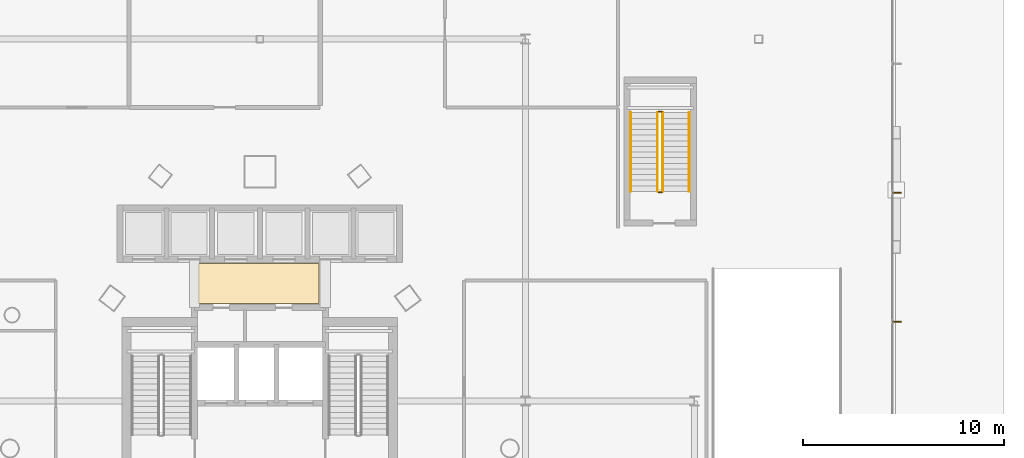
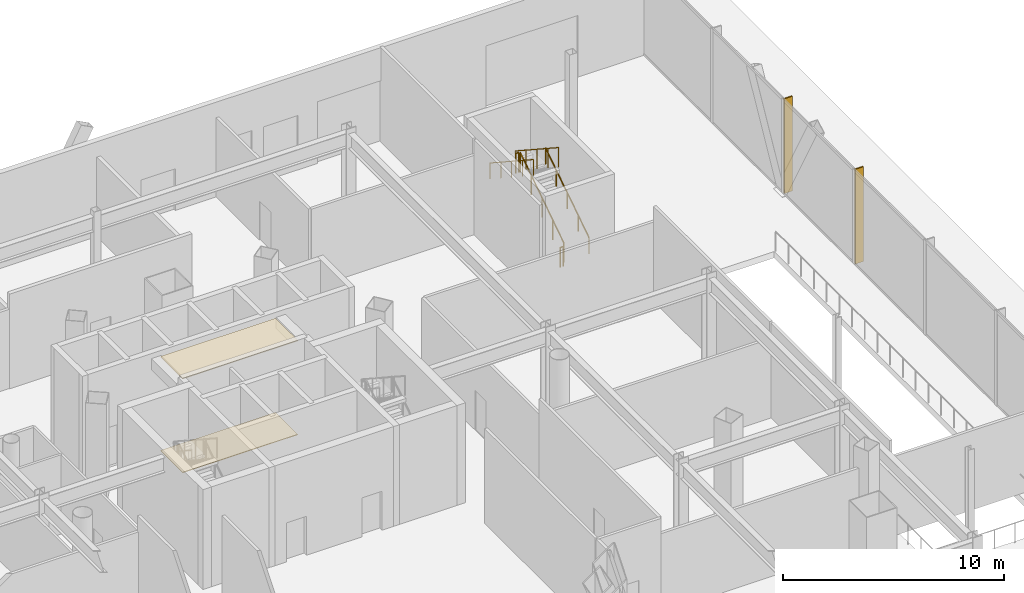
# One storey, part 36 of 38: 6 railings, 2 coverings, 2 shading devices.
"""IFC4 building model written with IfcOpenShell, lengths in metres."""

from ifc_helpers import new_model, si_unit, direction, frame, origin, origin_2d, place, context, subcontext, project, spatial, polyline, rectangle, circle, outline, extrude, material, layer, layer_set, type_object, element, save


model = new_model("IFC4")

# Units and contexts
model_context = context("Model", 3, precision=1e-05, world=origin(), true_north=direction((0.0, 1.0)))
body_context = subcontext(model_context, "Body", "Model", "MODEL_VIEW")
ifc_project = project(units=[si_unit("LENGTHUNIT", "METRE"), si_unit("AREAUNIT", "SQUARE_METRE"), si_unit("VOLUMEUNIT", "CUBIC_METRE"), si_unit("PLANEANGLEUNIT", "RADIAN"), si_unit("MASSUNIT", "GRAM", prefix="KILO")], contexts=[model_context])

# Site, building, storey
site_placement = place(None, origin())
site = spatial("IfcSite", under=ifc_project, at=site_placement, CompositionType="ELEMENT")
building_placement = place(site_placement, origin())
building = spatial("IfcBuilding", under=site, at=building_placement, Name="Orvanel Arch Residences", CompositionType="ELEMENT")
storey_placement = place(building_placement, origin())
storey = spatial("IfcBuildingStorey", under=building, at=storey_placement, Name="L00", CompositionType="ELEMENT", Elevation=0.0)

# Coverings
ifc_material_1 = material(Name="Perforated acoustic mineral-fibre ceiling tile", Category="gypsum")
ifc_layer_1 = layer(ifc_material_1, 0.050048828125)
ifc_layer_set_1 = layer_set([ifc_layer_1], Name="Perforated acoustic mineral-fibre ceiling tile")
covering_type_1 = type_object("IfcCoveringType", Name="COV-CLG-ACS50", PredefinedType="CEILING", material=ifc_layer_set_1)
covering_1_placement = place(storey_placement, frame((0.0, 0.0, 5.169921875)))
element("IfcCovering", 1, at=covering_1_placement, inside=storey, type_object=covering_type_1, Name="L00 Lift Lobby Acoustic Ceiling", PredefinedType="CEILING", context=body_context, shape_type="SweptSolid", body=[
    extrude(outline(polyline([(29.949951171875, 34.85009765625), (35.949951171875, 34.85009765625), (35.949951171875, 36.85009765625), (29.949951171875, 36.85009765625), (29.949951171875, 34.85009765625)])), origin(), (0.0, 0.0, 1.0), 0.050048828125),
])
ifc_material_2 = material(Name="Honed cementitious terrazzo floor finish", Category="concrete")
ifc_layer_2 = layer(ifc_material_2, 0.034912109375)
ifc_layer_set_2 = layer_set([ifc_layer_2], Name="Honed cementitious terrazzo floor finish")
covering_type_2 = type_object("IfcCoveringType", Name="COV-FLR-TRZ35", PredefinedType="FLOORING", material=ifc_layer_set_2)
covering_2_placement = place(storey_placement, origin())
element("IfcCovering", 2, at=covering_2_placement, inside=storey, type_object=covering_type_2, Name="L00 Lift Lobby Terrazzo Flooring", PredefinedType="FLOORING", context=body_context, shape_type="SweptSolid", body=[
    extrude(outline(polyline([(29.949951171875, 34.85009765625), (35.949951171875, 34.85009765625), (35.949951171875, 36.85009765625), (29.949951171875, 36.85009765625), (29.949951171875, 34.85009765625)])), origin(), (0.0, 0.0, 1.0), 0.034912109375),
])

# Shading devices
ifc_material_3 = material(Name="Bronze-anodised aluminium AA6063-T6", Category="aluminium")
ifc_layer_3 = layer(ifc_material_3, 0.06494140625)
ifc_layer_set_3 = layer_set([ifc_layer_3], Name="Bronze-anodised aluminium AA6063-T6")
shading_device_type = type_object("IfcShadingDeviceType", Name="FIN-BRZ-420", PredefinedType="USERDEFINED", material=ifc_layer_set_3)
for number, where, z_axis, x_axis, name in (
    (3, (64.68994140625, 33.93896484375, 0.0), (0.0, 0.0, 1.0), (1.0, 0.0, 0.0), "L00 Anodised Bronze Mullion FIN 05"),
    (4, (64.68994140625, 40.35205078125, 0.0), (0.0, 0.0, 1.0), (1.0, 0.0, 0.0), "L00 Anodised Bronze Mullion FIN 06"),
):
    element("IfcShadingDevice", number, at=place(storey_placement, frame(where, z_axis=z_axis, x_axis=x_axis)), inside=storey, type_object=shading_device_type, Name=name, ObjectType="FIN", PredefinedType="USERDEFINED", context=body_context, shape_type="SweptSolid", body=[
        extrude(rectangle(XDim=0.419921875, YDim=0.06494140625, at=origin_2d()), origin(), (0.0, 0.0, 1.0), 5.219970703125),
    ])

# Railings
ifc_material_4 = material(Name="Structural steel AS/NZS 1163 C350L0 (Grade 350)", Category="steel")
railing_type_1 = type_object("IfcRailingType", Name="RL-STAIR-GUARD", PredefinedType="GUARDRAIL", material=ifc_material_4)
railing_1_placement = place(storey_placement, frame((53.030029296875, 40.419921875, 0.183349609375)))
element("IfcRailing", 5, at=railing_1_placement, inside=storey, type_object=railing_type_1, Name="L00 ST-4 stair guard 1", PredefinedType="GUARDRAIL", context=body_context, shape_type="SweptSolid", body=[
    extrude(circle(Radius=0.02392578125, at=origin_2d()), frame((0.0, 0.001220703125, 1.076904296875), z_axis=(0.0, 0.836630751959, 0.54776727255), x_axis=(-1.0, 0.0, 0.0)), (0.0, 0.0, 1.0), 4.6826171875),
    extrude(circle(Radius=0.02099609375, at=origin_2d()), origin(), (0.0, 0.0, 1.0), 1.050048828125),
    extrude(circle(Radius=0.02099609375, at=origin_2d()), frame((0.0, 0.97998046875, 0.6416015625)), (0.0, 0.0, 1.0), 1.050048828125),
    extrude(circle(Radius=0.02099609375, at=origin_2d()), frame((0.0, 1.9599609375, 1.283203125)), (0.0, 0.0, 1.0), 1.050048828125),
    extrude(circle(Radius=0.02099609375, at=origin_2d()), frame((0.0, 2.940185546875, 1.925048828125)), (0.0, 0.0, 1.0), 1.050048828125),
    extrude(circle(Radius=0.02099609375, at=origin_2d()), frame((0.0, 3.920166015625, 2.566650390625)), (0.0, 0.0, 1.0), 1.050048828125),
])
railing_2_placement = place(storey_placement, frame((52.97998046875, 44.389892578125, 2.75)))
element("IfcRailing", 6, at=railing_2_placement, inside=storey, type_object=railing_type_1, Name="L00 ST-4 stair guard 2", PredefinedType="GUARDRAIL", context=body_context, shape_type="SweptSolid", body=[
    extrude(circle(Radius=0.02392578125, at=origin_2d()), frame((-0.00146484375, 0.0, 1.076171875), z_axis=(-1.0, 0.0, 0.0), x_axis=(0.0, -1.0, 0.0)), (0.0, 0.0, 1.0), 0.156982421875),
    extrude(circle(Radius=0.02099609375, at=origin_2d()), origin(), (0.0, 0.0, 1.0), 1.050048828125),
    extrude(circle(Radius=0.02099609375, at=origin_2d()), frame((-0.159912109375, 0.0, 0.0)), (0.0, 0.0, 1.0), 1.050048828125),
])
railing_3_placement = place(storey_placement, frame((52.77001953125, 44.340087890625, 2.933349609375)))
element("IfcRailing", 7, at=railing_3_placement, inside=storey, type_object=railing_type_1, Name="L00 ST-4 stair guard 3", PredefinedType="GUARDRAIL", context=body_context, shape_type="SweptSolid", body=[
    extrude(circle(Radius=0.02392578125, at=origin_2d()), frame((0.0, -0.001220703125, 1.076904296875), z_axis=(0.0, -0.836630751959, 0.54776727255), x_axis=(1.0, 0.0, 0.0)), (0.0, 0.0, 1.0), 4.6826171875),
    extrude(circle(Radius=0.02099609375, at=origin_2d()), origin(), (0.0, 0.0, 1.0), 1.050048828125),
    extrude(circle(Radius=0.02099609375, at=origin_2d()), frame((0.0, -0.97998046875, 0.6416015625)), (0.0, 0.0, 1.0), 1.050048828125),
    extrude(circle(Radius=0.02099609375, at=origin_2d()), frame((0.0, -1.9599609375, 1.283203125)), (0.0, 0.0, 1.0), 1.050048828125),
    extrude(circle(Radius=0.02099609375, at=origin_2d()), frame((0.0, -2.940185546875, 1.925048828125)), (0.0, 0.0, 1.0), 1.050048828125),
    extrude(circle(Radius=0.02099609375, at=origin_2d()), frame((0.0, -3.920166015625, 2.566650390625)), (0.0, 0.0, 1.0), 1.050048828125),
])
railing_4_placement = place(storey_placement, frame((52.97998046875, 40.3701171875, 0.0)))
element("IfcRailing", 8, at=railing_4_placement, inside=storey, type_object=railing_type_1, Name="L00 ST-4 stair guard 4", PredefinedType="GUARDRAIL", context=body_context, shape_type="SweptSolid", body=[
    extrude(circle(Radius=0.02392578125, at=origin_2d()), frame((-0.00146484375, 0.0, 1.076171875), z_axis=(-1.0, 0.0, 0.0), x_axis=(0.0, -1.0, 0.0)), (0.0, 0.0, 1.0), 0.156982421875),
    extrude(circle(Radius=0.02099609375, at=origin_2d()), origin(), (0.0, 0.0, 1.0), 1.050048828125),
    extrude(circle(Radius=0.02099609375, at=origin_2d()), frame((-0.159912109375, 0.0, 0.0)), (0.0, 0.0, 1.0), 1.050048828125),
])
railing_type_2 = type_object("IfcRailingType", Name="RL-STAIR-HAND", PredefinedType="HANDRAIL", material=ifc_material_4)
railing_5_placement = place(storey_placement, frame((54.35009765625, 40.419921875, 0.183349609375)))
element("IfcRailing", 9, at=railing_5_placement, inside=storey, type_object=railing_type_2, Name="L00 ST-4 stair handrail 1", PredefinedType="HANDRAIL", context=body_context, shape_type="SweptSolid", body=[
    extrude(circle(Radius=0.02392578125, at=origin_2d()), frame((0.0, 0.001220703125, 0.876708984375), z_axis=(0.0, 0.836630751959, 0.54776727255), x_axis=(-1.0, 0.0, 0.0)), (0.0, 0.0, 1.0), 4.6826171875),
    extrude(circle(Radius=0.02099609375, at=origin_2d()), origin(), (0.0, 0.0, 1.0), 0.849853515625),
    extrude(circle(Radius=0.02099609375, at=origin_2d()), frame((0.0, 0.97998046875, 0.6416015625)), (0.0, 0.0, 1.0), 0.849853515625),
    extrude(circle(Radius=0.02099609375, at=origin_2d()), frame((0.0, 1.9599609375, 1.283203125)), (0.0, 0.0, 1.0), 0.849853515625),
    extrude(circle(Radius=0.02099609375, at=origin_2d()), frame((0.0, 2.940185546875, 1.925048828125)), (0.0, 0.0, 1.0), 0.849853515625),
    extrude(circle(Radius=0.02099609375, at=origin_2d()), frame((0.0, 3.920166015625, 2.566650390625)), (0.0, 0.0, 1.0), 0.849853515625),
])
railing_6_placement = place(storey_placement, frame((51.449951171875, 44.340087890625, 2.933349609375)))
element("IfcRailing", 10, at=railing_6_placement, inside=storey, type_object=railing_type_2, Name="L00 ST-4 stair handrail 2", PredefinedType="HANDRAIL", context=body_context, shape_type="SweptSolid", body=[
    extrude(circle(Radius=0.02392578125, at=origin_2d()), frame((0.0, -0.001220703125, 0.876708984375), z_axis=(0.0, -0.836630751959, 0.54776727255), x_axis=(1.0, 0.0, 0.0)), (0.0, 0.0, 1.0), 4.6826171875),
    extrude(circle(Radius=0.02099609375, at=origin_2d()), origin(), (0.0, 0.0, 1.0), 0.849853515625),
    extrude(circle(Radius=0.02099609375, at=origin_2d()), frame((0.0, -0.97998046875, 0.6416015625)), (0.0, 0.0, 1.0), 0.849853515625),
    extrude(circle(Radius=0.02099609375, at=origin_2d()), frame((0.0, -1.9599609375, 1.283203125)), (0.0, 0.0, 1.0), 0.849853515625),
    extrude(circle(Radius=0.02099609375, at=origin_2d()), frame((0.0, -2.940185546875, 1.925048828125)), (0.0, 0.0, 1.0), 0.849853515625),
    extrude(circle(Radius=0.02099609375, at=origin_2d()), frame((0.0, -3.920166015625, 2.566650390625)), (0.0, 0.0, 1.0), 0.849853515625),
])

save(model, "model.ifc")
